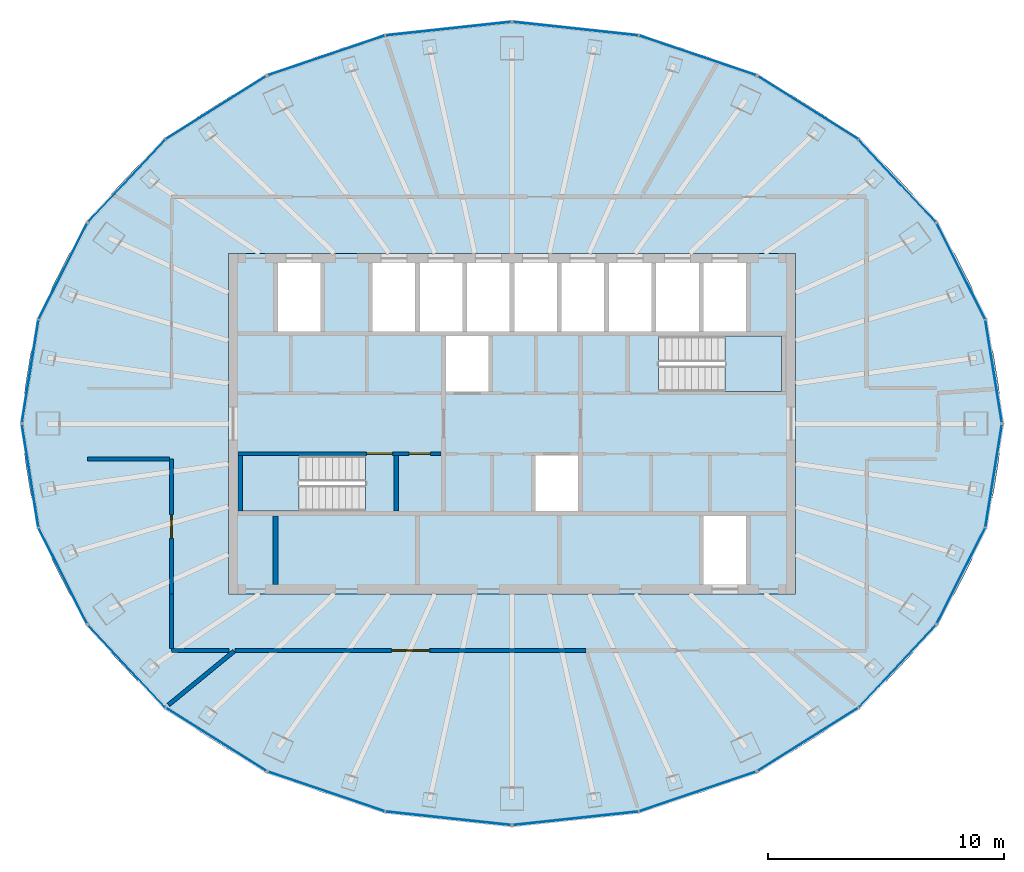
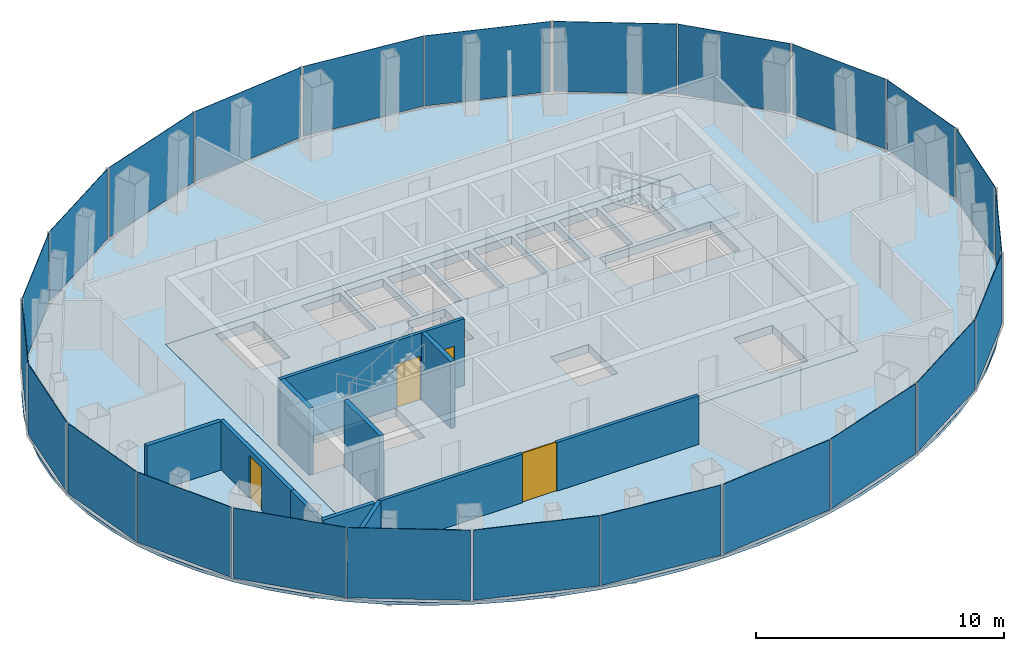
# One storey, part 7 of 11: 24 plates, 10 walls, 4 doors, 4 slabs, 4 openings, 14 elements without a shape of their own.
"""IFC4 building model written with IfcOpenShell, lengths in metres."""

from ifc_helpers import new_model, si_unit, direction, frame, frame_2d, origin, origin_2d, place, context, subcontext, project, spatial, polyline, rectangle, outline, extrude, material, layer, layer_set, type_object, element, fill, aggregate, save


model = new_model("IFC4")

# Units and contexts
model_context = context("Model", 3, precision=1e-05, world=origin(), true_north=direction((0.0, 1.0)))
body_context = subcontext(model_context, "Body", "Model", "MODEL_VIEW")
ifc_project = project(units=[si_unit("LENGTHUNIT", "METRE"), si_unit("AREAUNIT", "SQUARE_METRE"), si_unit("VOLUMEUNIT", "CUBIC_METRE"), si_unit("PLANEANGLEUNIT", "RADIAN"), si_unit("MASSUNIT", "GRAM", prefix="KILO")], contexts=[model_context])

# Site, building, storey
site_placement = place(None, origin())
site = spatial("IfcSite", under=ifc_project, at=site_placement, CompositionType="ELEMENT")
building_placement = place(site_placement, origin())
building = spatial("IfcBuilding", under=site, at=building_placement, Name="Siaravel Broadcast Tower", CompositionType="ELEMENT")
storey_placement = place(building_placement, frame((0.0, 0.0, 254.10009765625)))
storey = spatial("IfcBuildingStorey", under=building, at=storey_placement, Name="L62", CompositionType="ELEMENT", Elevation=254.10009765625)

# Curtain wall, plates
ifc_material_1 = material(Name="Aluminium 6063-T6", Category="aluminium")
ifc_layer_1 = layer(ifc_material_1, 0.159912109375)
ifc_layer_set_1 = layer_set([ifc_layer_1], Name="Aluminium 6063-T6")
curtain_wall_type = type_object("IfcCurtainWallType", Name="Unitised curtain wall, zone 4", PredefinedType="NOTDEFINED", material=ifc_layer_set_1)
curtain_wall_1_placement = place(storey_placement, origin())
curtain_wall_1 = element("IfcCurtainWall", 1, at=curtain_wall_1_placement, inside=storey, type_object=curtain_wall_type, Name="L62 Unitised curtain wall, zone 4 01", PredefinedType="NOTDEFINED")
ifc_material_2 = material(Name="Tinted insulated glass", Category="glass")
ifc_layer_2 = layer(ifc_material_2, 0.02587890625)
ifc_layer_set_2 = layer_set([ifc_layer_2], Name="Tinted insulated glass")
plate_type = type_object("IfcPlateType", Name="CW-Z4 glass panel", PredefinedType="CURTAIN_PANEL", material=ifc_layer_set_2)
plate_1_placement = place(storey_placement, frame((20.377685546875, 2.2138671875, 0.08984375), z_axis=(0.0, 0.0, 1.0), x_axis=(-0.158684626, 0.987329322, 0.0)))
plate_1 = element("IfcPlate", 2, at=plate_1_placement, type_object=plate_type, Name="CW-Z4 glass panel", PredefinedType="CURTAIN_PANEL", context=body_context, shape_type="SweptSolid", body=[
    extrude(rectangle(XDim=4.37451171875, YDim=0.02587890625, at=origin_2d()), origin(), (0.0, 0.0, 1.0), 3.4599609375),
])
plate_2_placement = place(storey_placement, frame((18.99609375, 6.43798828125, 0.08984375), z_axis=(0.0, 0.0, 1.0), x_axis=(-0.45125904, 0.892393007, 0.0)))
plate_2 = element("IfcPlate", 3, at=plate_2_placement, type_object=plate_type, Name="CW-Z4 glass panel", PredefinedType="CURTAIN_PANEL", context=body_context, shape_type="SweptSolid", body=[
    extrude(rectangle(XDim=4.51123046875, YDim=0.02587890625, at=origin_2d()), origin(), (0.0, 0.0, 1.0), 3.4599609375),
])
aggregate(curtain_wall_1, [plate_1, plate_2])

curtain_wall_2_placement = place(storey_placement, origin())
curtain_wall_2 = element("IfcCurtainWall", 4, at=curtain_wall_2_placement, inside=storey, type_object=curtain_wall_type, Name="L62 Unitised curtain wall, zone 4 02", PredefinedType="NOTDEFINED")
plate_3_placement = place(storey_placement, frame((16.2958984375, 10.269287109375, 0.08984375), z_axis=(0.0, 0.0, 1.0), x_axis=(-0.683653541, 0.729806711, 0.0)))
plate_3 = element("IfcPlate", 5, at=plate_3_placement, type_object=plate_type, Name="CW-Z4 glass panel", PredefinedType="CURTAIN_PANEL", context=body_context, shape_type="SweptSolid", body=[
    extrude(rectangle(XDim=4.739013671875, YDim=0.02587890625, at=origin_2d()), origin(), (0.0, 0.0, 1.0), 3.4599609375),
])
plate_4_placement = place(storey_placement, frame((12.521728515625, 13.36083984375, 0.08984375), z_axis=(0.0, 0.0, 1.0), x_axis=(-0.84664969, 0.532150638, 0.0)))
plate_4 = element("IfcPlate", 6, at=plate_4_placement, type_object=plate_type, Name="CW-Z4 glass panel", PredefinedType="CURTAIN_PANEL", context=body_context, shape_type="SweptSolid", body=[
    extrude(rectangle(XDim=4.9892578125, YDim=0.02587890625, at=origin_2d()), origin(), (0.0, 0.0, 1.0), 3.4599609375),
])
aggregate(curtain_wall_2, [plate_3, plate_4])

curtain_wall_3_placement = place(storey_placement, origin())
curtain_wall_3 = element("IfcCurtainWall", 7, at=curtain_wall_3_placement, inside=storey, type_object=curtain_wall_type, Name="L62 Unitised curtain wall, zone 4 03", PredefinedType="NOTDEFINED")
plate_5_placement = place(storey_placement, frame((7.8505859375, 15.570068359375, 0.08984375), z_axis=(0.0, 0.0, 1.0), x_axis=(-0.946976923, 0.321301584, 0.0)))
plate_5 = element("IfcPlate", 8, at=plate_5_placement, type_object=plate_type, Name="CW-Z4 glass panel", PredefinedType="CURTAIN_PANEL", context=body_context, shape_type="SweptSolid", body=[
    extrude(rectangle(XDim=5.196533203125, YDim=0.02587890625, at=origin_2d()), origin(), (0.0, 0.0, 1.0), 3.4599609375),
])
plate_6_placement = place(storey_placement, frame((2.69580078125, 16.701416015625, 0.08984375), z_axis=(0.0, 0.0, 1.0), x_axis=(-0.994235555, 0.107217823, 0.0)))
plate_6 = element("IfcPlate", 9, at=plate_6_placement, type_object=plate_type, Name="CW-Z4 glass panel", PredefinedType="CURTAIN_PANEL", context=body_context, shape_type="SweptSolid", body=[
    extrude(rectangle(XDim=5.3125, YDim=0.02587890625, at=origin_2d()), origin(), (0.0, 0.0, 1.0), 3.4599609375),
])
aggregate(curtain_wall_3, [plate_5, plate_6])

curtain_wall_4_placement = place(storey_placement, origin())
curtain_wall_4 = element("IfcCurtainWall", 10, at=curtain_wall_4_placement, inside=storey, type_object=curtain_wall_type, Name="L62 Unitised curtain wall, zone 4 04", PredefinedType="NOTDEFINED")
plate_7_placement = place(storey_placement, frame((-2.69580078125, 16.701416015625, 0.08984375), z_axis=(0.0, 0.0, 1.0), x_axis=(-0.994235555, -0.107217823, 0.0)))
plate_7 = element("IfcPlate", 11, at=plate_7_placement, type_object=plate_type, Name="CW-Z4 glass panel", PredefinedType="CURTAIN_PANEL", context=body_context, shape_type="SweptSolid", body=[
    extrude(rectangle(XDim=5.3125, YDim=0.02587890625, at=origin_2d()), origin(), (0.0, 0.0, 1.0), 3.4599609375),
])
plate_8_placement = place(storey_placement, frame((-7.8505859375, 15.570068359375, 0.08984375), z_axis=(0.0, 0.0, 1.0), x_axis=(-0.946976923, -0.321301584, 0.0)))
plate_8 = element("IfcPlate", 12, at=plate_8_placement, type_object=plate_type, Name="CW-Z4 glass panel", PredefinedType="CURTAIN_PANEL", context=body_context, shape_type="SweptSolid", body=[
    extrude(rectangle(XDim=5.196533203125, YDim=0.02587890625, at=origin_2d()), origin(), (0.0, 0.0, 1.0), 3.4599609375),
])
aggregate(curtain_wall_4, [plate_7, plate_8])

curtain_wall_5_placement = place(storey_placement, origin())
curtain_wall_5 = element("IfcCurtainWall", 13, at=curtain_wall_5_placement, inside=storey, type_object=curtain_wall_type, Name="L62 Unitised curtain wall, zone 4 05", PredefinedType="NOTDEFINED")
plate_9_placement = place(storey_placement, frame((-12.521728515625, 13.36083984375, 0.08984375), z_axis=(0.0, 0.0, 1.0), x_axis=(-0.84664969, -0.532150638, 0.0)))
plate_9 = element("IfcPlate", 14, at=plate_9_placement, type_object=plate_type, Name="CW-Z4 glass panel", PredefinedType="CURTAIN_PANEL", context=body_context, shape_type="SweptSolid", body=[
    extrude(rectangle(XDim=4.9892578125, YDim=0.02587890625, at=origin_2d()), origin(), (0.0, 0.0, 1.0), 3.4599609375),
])
plate_10_placement = place(storey_placement, frame((-16.2958984375, 10.269287109375, 0.08984375), z_axis=(0.0, 0.0, 1.0), x_axis=(-0.683653541, -0.729806711, 0.0)))
plate_10 = element("IfcPlate", 15, at=plate_10_placement, type_object=plate_type, Name="CW-Z4 glass panel", PredefinedType="CURTAIN_PANEL", context=body_context, shape_type="SweptSolid", body=[
    extrude(rectangle(XDim=4.739013671875, YDim=0.02587890625, at=origin_2d()), origin(), (0.0, 0.0, 1.0), 3.4599609375),
])
aggregate(curtain_wall_5, [plate_9, plate_10])

curtain_wall_6_placement = place(storey_placement, origin())
curtain_wall_6 = element("IfcCurtainWall", 16, at=curtain_wall_6_placement, inside=storey, type_object=curtain_wall_type, Name="L62 Unitised curtain wall, zone 4 06", PredefinedType="NOTDEFINED")
plate_11_placement = place(storey_placement, frame((-18.99609375, 6.43798828125, 0.08984375), z_axis=(0.0, 0.0, 1.0), x_axis=(-0.45125904, -0.892393007, 0.0)))
plate_11 = element("IfcPlate", 17, at=plate_11_placement, type_object=plate_type, Name="CW-Z4 glass panel", PredefinedType="CURTAIN_PANEL", context=body_context, shape_type="SweptSolid", body=[
    extrude(rectangle(XDim=4.51123046875, YDim=0.02587890625, at=origin_2d()), origin(), (0.0, 0.0, 1.0), 3.4599609375),
])
plate_12_placement = place(storey_placement, frame((-20.377685546875, 2.2138671875, 0.08984375), z_axis=(0.0, 0.0, 1.0), x_axis=(-0.158684626, -0.987329322, 0.0)))
plate_12 = element("IfcPlate", 18, at=plate_12_placement, type_object=plate_type, Name="CW-Z4 glass panel", PredefinedType="CURTAIN_PANEL", context=body_context, shape_type="SweptSolid", body=[
    extrude(rectangle(XDim=4.37451171875, YDim=0.02587890625, at=origin_2d()), origin(), (0.0, 0.0, 1.0), 3.4599609375),
])
aggregate(curtain_wall_6, [plate_11, plate_12])

curtain_wall_7_placement = place(storey_placement, origin())
curtain_wall_7 = element("IfcCurtainWall", 19, at=curtain_wall_7_placement, inside=storey, type_object=curtain_wall_type, Name="L62 Unitised curtain wall, zone 4 07", PredefinedType="NOTDEFINED")
plate_13_placement = place(storey_placement, frame((-20.377685546875, -2.2138671875, 0.08984375), z_axis=(0.0, 0.0, 1.0), x_axis=(0.158684626, -0.987329322, 0.0)))
plate_13 = element("IfcPlate", 20, at=plate_13_placement, type_object=plate_type, Name="CW-Z4 glass panel", PredefinedType="CURTAIN_PANEL", context=body_context, shape_type="SweptSolid", body=[
    extrude(rectangle(XDim=4.37451171875, YDim=0.02587890625, at=origin_2d()), origin(), (0.0, 0.0, 1.0), 3.4599609375),
])
plate_14_placement = place(storey_placement, frame((-18.99609375, -6.43798828125, 0.08984375), z_axis=(0.0, 0.0, 1.0), x_axis=(0.45125904, -0.892393007, 0.0)))
plate_14 = element("IfcPlate", 21, at=plate_14_placement, type_object=plate_type, Name="CW-Z4 glass panel", PredefinedType="CURTAIN_PANEL", context=body_context, shape_type="SweptSolid", body=[
    extrude(rectangle(XDim=4.51123046875, YDim=0.02587890625, at=origin_2d()), origin(), (0.0, 0.0, 1.0), 3.4599609375),
])
aggregate(curtain_wall_7, [plate_13, plate_14])

curtain_wall_8_placement = place(storey_placement, origin())
curtain_wall_8 = element("IfcCurtainWall", 22, at=curtain_wall_8_placement, inside=storey, type_object=curtain_wall_type, Name="L62 Unitised curtain wall, zone 4 08", PredefinedType="NOTDEFINED")
plate_15_placement = place(storey_placement, frame((-16.2958984375, -10.269287109375, 0.08984375), z_axis=(0.0, 0.0, 1.0), x_axis=(0.683653541, -0.729806711, 0.0)))
plate_15 = element("IfcPlate", 23, at=plate_15_placement, type_object=plate_type, Name="CW-Z4 glass panel", PredefinedType="CURTAIN_PANEL", context=body_context, shape_type="SweptSolid", body=[
    extrude(rectangle(XDim=4.739013671875, YDim=0.02587890625, at=origin_2d()), origin(), (0.0, 0.0, 1.0), 3.4599609375),
])
plate_16_placement = place(storey_placement, frame((-12.521728515625, -13.36083984375, 0.08984375), z_axis=(0.0, 0.0, 1.0), x_axis=(0.84664969, -0.532150638, 0.0)))
plate_16 = element("IfcPlate", 24, at=plate_16_placement, type_object=plate_type, Name="CW-Z4 glass panel", PredefinedType="CURTAIN_PANEL", context=body_context, shape_type="SweptSolid", body=[
    extrude(rectangle(XDim=4.9892578125, YDim=0.02587890625, at=origin_2d()), origin(), (0.0, 0.0, 1.0), 3.4599609375),
])
aggregate(curtain_wall_8, [plate_15, plate_16])

curtain_wall_9_placement = place(storey_placement, origin())
curtain_wall_9 = element("IfcCurtainWall", 25, at=curtain_wall_9_placement, inside=storey, type_object=curtain_wall_type, Name="L62 Unitised curtain wall, zone 4 09", PredefinedType="NOTDEFINED")
plate_17_placement = place(storey_placement, frame((-7.8505859375, -15.570068359375, 0.08984375), z_axis=(0.0, 0.0, 1.0), x_axis=(0.946976923, -0.321301584, 0.0)))
plate_17 = element("IfcPlate", 26, at=plate_17_placement, type_object=plate_type, Name="CW-Z4 glass panel", PredefinedType="CURTAIN_PANEL", context=body_context, shape_type="SweptSolid", body=[
    extrude(rectangle(XDim=5.196533203125, YDim=0.02587890625, at=origin_2d()), origin(), (0.0, 0.0, 1.0), 3.4599609375),
])
plate_18_placement = place(storey_placement, frame((-2.69580078125, -16.701416015625, 0.08984375), z_axis=(0.0, 0.0, 1.0), x_axis=(0.994235555, -0.107217823, 0.0)))
plate_18 = element("IfcPlate", 27, at=plate_18_placement, type_object=plate_type, Name="CW-Z4 glass panel", PredefinedType="CURTAIN_PANEL", context=body_context, shape_type="SweptSolid", body=[
    extrude(rectangle(XDim=5.3125, YDim=0.02587890625, at=origin_2d()), origin(), (0.0, 0.0, 1.0), 3.4599609375),
])
aggregate(curtain_wall_9, [plate_17, plate_18])

curtain_wall_10_placement = place(storey_placement, origin())
curtain_wall_10 = element("IfcCurtainWall", 28, at=curtain_wall_10_placement, inside=storey, type_object=curtain_wall_type, Name="L62 Unitised curtain wall, zone 4 10", PredefinedType="NOTDEFINED")
plate_19_placement = place(storey_placement, frame((2.69580078125, -16.701416015625, 0.08984375), z_axis=(0.0, 0.0, 1.0), x_axis=(0.994235555, 0.107217823, 0.0)))
plate_19 = element("IfcPlate", 29, at=plate_19_placement, type_object=plate_type, Name="CW-Z4 glass panel", PredefinedType="CURTAIN_PANEL", context=body_context, shape_type="SweptSolid", body=[
    extrude(rectangle(XDim=5.3125, YDim=0.02587890625, at=origin_2d()), origin(), (0.0, 0.0, 1.0), 3.4599609375),
])
plate_20_placement = place(storey_placement, frame((7.8505859375, -15.570068359375, 0.08984375), z_axis=(0.0, 0.0, 1.0), x_axis=(0.946976923, 0.321301584, 0.0)))
plate_20 = element("IfcPlate", 30, at=plate_20_placement, type_object=plate_type, Name="CW-Z4 glass panel", PredefinedType="CURTAIN_PANEL", context=body_context, shape_type="SweptSolid", body=[
    extrude(rectangle(XDim=5.196533203125, YDim=0.02587890625, at=origin_2d()), origin(), (0.0, 0.0, 1.0), 3.4599609375),
])
aggregate(curtain_wall_10, [plate_19, plate_20])

curtain_wall_11_placement = place(storey_placement, origin())
curtain_wall_11 = element("IfcCurtainWall", 31, at=curtain_wall_11_placement, inside=storey, type_object=curtain_wall_type, Name="L62 Unitised curtain wall, zone 4 11", PredefinedType="NOTDEFINED")
plate_21_placement = place(storey_placement, frame((12.521728515625, -13.36083984375, 0.08984375), z_axis=(0.0, 0.0, 1.0), x_axis=(0.84664969, 0.532150638, 0.0)))
plate_21 = element("IfcPlate", 32, at=plate_21_placement, type_object=plate_type, Name="CW-Z4 glass panel", PredefinedType="CURTAIN_PANEL", context=body_context, shape_type="SweptSolid", body=[
    extrude(rectangle(XDim=4.9892578125, YDim=0.02587890625, at=origin_2d()), origin(), (0.0, 0.0, 1.0), 3.4599609375),
])
plate_22_placement = place(storey_placement, frame((16.2958984375, -10.269287109375, 0.08984375), z_axis=(0.0, 0.0, 1.0), x_axis=(0.683653541, 0.729806711, 0.0)))
plate_22 = element("IfcPlate", 33, at=plate_22_placement, type_object=plate_type, Name="CW-Z4 glass panel", PredefinedType="CURTAIN_PANEL", context=body_context, shape_type="SweptSolid", body=[
    extrude(rectangle(XDim=4.739013671875, YDim=0.02587890625, at=origin_2d()), origin(), (0.0, 0.0, 1.0), 3.4599609375),
])
aggregate(curtain_wall_11, [plate_21, plate_22])

curtain_wall_12_placement = place(storey_placement, origin())
curtain_wall_12 = element("IfcCurtainWall", 34, at=curtain_wall_12_placement, inside=storey, type_object=curtain_wall_type, Name="L62 Unitised curtain wall, zone 4 12", PredefinedType="NOTDEFINED")
plate_23_placement = place(storey_placement, frame((18.99609375, -6.43798828125, 0.08984375), z_axis=(0.0, 0.0, 1.0), x_axis=(0.45125904, 0.892393007, 0.0)))
plate_23 = element("IfcPlate", 35, at=plate_23_placement, type_object=plate_type, Name="CW-Z4 glass panel", PredefinedType="CURTAIN_PANEL", context=body_context, shape_type="SweptSolid", body=[
    extrude(rectangle(XDim=4.51123046875, YDim=0.02587890625, at=origin_2d()), origin(), (0.0, 0.0, 1.0), 3.4599609375),
])
plate_24_placement = place(storey_placement, frame((20.377685546875, -2.2138671875, 0.08984375), z_axis=(0.0, 0.0, 1.0), x_axis=(0.158684626, 0.987329322, 0.0)))
plate_24 = element("IfcPlate", 36, at=plate_24_placement, type_object=plate_type, Name="CW-Z4 glass panel", PredefinedType="CURTAIN_PANEL", context=body_context, shape_type="SweptSolid", body=[
    extrude(rectangle(XDim=4.37451171875, YDim=0.02587890625, at=origin_2d()), origin(), (0.0, 0.0, 1.0), 3.4599609375),
])
aggregate(curtain_wall_12, [plate_23, plate_24])

# Slabs
ifc_material_3 = material(Name="Concrete C40/50", Category="concrete")
ifc_layer_3 = layer(ifc_material_3, 0.39990234375)
ifc_layer_set_3 = layer_set([ifc_layer_3], Name="Concrete C40/50")
slab_type_1 = type_object("IfcSlabType", Name="Core floor slab 400", PredefinedType="FLOOR", material=ifc_layer_set_3)
slab_1_placement = place(storey_placement, frame((0.0, 0.0, -0.400146484375)))
element("IfcSlab", 37, at=slab_1_placement, inside=storey, type_object=slab_type_1, Name="L62 core floor", PredefinedType="FLOOR", context=body_context, shape_type="SweptSolid", body=[
    extrude(outline(polyline([(-12.0, -7.199951171875), (-12.0, 7.199951171875), (12.0, 7.199951171875), (12.0, -7.199951171875), (-12.0, -7.199951171875)]), holes=[polyline([(11.3994140625, 1.3505859375), (11.3994140625, 3.699462890625), (6.200439453125, 3.699462890625), (6.200439453125, 1.3505859375), (11.3994140625, 1.3505859375)]), polyline([(8.10009765625, -3.89990234375), (8.10009765625, -6.800048828125), (9.89990234375, -6.800048828125), (9.89990234375, -3.89990234375), (8.10009765625, -3.89990234375)]), polyline([(9.89990234375, 6.800048828125), (8.10009765625, 6.800048828125), (8.10009765625, 3.89990234375), (9.89990234375, 3.89990234375), (9.89990234375, 6.800048828125)]), polyline([(7.89990234375, 6.800048828125), (6.10009765625, 6.800048828125), (6.10009765625, 3.89990234375), (7.89990234375, 3.89990234375), (7.89990234375, 6.800048828125)]), polyline([(5.89990234375, 6.800048828125), (4.10009765625, 6.800048828125), (4.10009765625, 3.89990234375), (5.89990234375, 3.89990234375), (5.89990234375, 6.800048828125)]), polyline([(3.89990234375, 6.800048828125), (2.10009765625, 6.800048828125), (2.10009765625, 3.89990234375), (3.89990234375, 3.89990234375), (3.89990234375, 6.800048828125)]), polyline([(2.800048828125, -1.35009765625), (1.0, -1.35009765625), (1.0, -3.699951171875), (2.800048828125, -3.699951171875), (2.800048828125, -1.35009765625)]), polyline([(1.89990234375, 6.800048828125), (0.10009765625, 6.800048828125), (0.10009765625, 3.89990234375), (1.89990234375, 3.89990234375), (1.89990234375, 6.800048828125)]), polyline([(-0.10009765625, 6.800048828125), (-1.89990234375, 6.800048828125), (-1.89990234375, 3.89990234375), (-0.10009765625, 3.89990234375), (-0.10009765625, 6.800048828125)]), polyline([(-1.0, 3.699951171875), (-2.800048828125, 3.699951171875), (-2.800048828125, 1.35009765625), (-1.0, 1.35009765625), (-1.0, 3.699951171875)]), polyline([(-2.10009765625, 6.800048828125), (-3.89990234375, 6.800048828125), (-3.89990234375, 3.89990234375), (-2.10009765625, 3.89990234375), (-2.10009765625, 6.800048828125)]), polyline([(-4.10009765625, 6.800048828125), (-5.89990234375, 6.800048828125), (-5.89990234375, 3.89990234375), (-4.10009765625, 3.89990234375), (-4.10009765625, 6.800048828125)]), polyline([(-11.3994140625, -3.699462890625), (-6.200439453125, -3.699462890625), (-6.200439453125, -1.3505859375), (-11.3994140625, -1.3505859375), (-11.3994140625, -3.699462890625)]), polyline([(-8.10009765625, 6.800048828125), (-9.89990234375, 6.800048828125), (-9.89990234375, 3.89990234375), (-8.10009765625, 3.89990234375), (-8.10009765625, 6.800048828125)])]), origin(), (0.0, 0.0, 1.0), 0.400146484375),
])
ifc_layer_4 = layer(ifc_material_3, 0.14990234375)
ifc_layer_set_4 = layer_set([ifc_layer_4], Name="Concrete C40/50")
slab_type_2 = type_object("IfcSlabType", Name="SLB-FLOOR-150", PredefinedType="FLOOR", material=ifc_layer_set_4)
slab_2_placement = place(storey_placement, frame((0.0, 0.0, -0.150146484375)))
element("IfcSlab", 38, at=slab_2_placement, inside=storey, type_object=slab_type_2, Name="Floor slab", PredefinedType="FLOOR", context=body_context, shape_type="SweptSolid", body=[
    extrude(outline(polyline([(20.68359375, 0.0), (20.60498046875, 1.4765625), (20.369384765625, 2.94189453125), (19.978759765625, 4.385009765625), (19.436279296875, 5.794677734375), (18.74560546875, 7.16015625), (17.91259765625, 8.47119140625), (16.943115234375, 9.717529296875), (15.844482421875, 10.89013671875), (14.62548828125, 11.97998046875), (13.295166015625, 12.978515625), (11.863525390625, 13.878173828125), (10.341796875, 14.67236328125), (8.7412109375, 15.354736328125), (7.07421875, 15.92041015625), (5.353271484375, 16.364990234375), (3.591796875, 16.684814453125), (1.802734375, 16.877685546875), (0.0, 16.942138671875), (-1.802734375, 16.877685546875), (-3.591796875, 16.684814453125), (-5.353271484375, 16.364990234375), (-7.07421875, 15.92041015625), (-8.7412109375, 15.354736328125), (-10.341796875, 14.67236328125), (-11.863525390625, 13.878173828125), (-13.295166015625, 12.978515625), (-14.62548828125, 11.97998046875), (-15.844482421875, 10.89013671875), (-16.943115234375, 9.717529296875), (-17.91259765625, 8.47119140625), (-18.74560546875, 7.16015625), (-19.436279296875, 5.794677734375), (-19.978759765625, 4.385009765625), (-20.369384765625, 2.94189453125), (-20.60498046875, 1.4765625), (-20.68359375, 0.0), (-20.60498046875, -1.4765625), (-20.369384765625, -2.94189453125), (-19.978759765625, -4.385009765625), (-19.436279296875, -5.794677734375), (-18.74560546875, -7.16015625), (-17.91259765625, -8.47119140625), (-16.943115234375, -9.717529296875), (-15.844482421875, -10.89013671875), (-14.62548828125, -11.97998046875), (-13.295166015625, -12.978515625), (-11.863525390625, -13.878173828125), (-10.341796875, -14.67236328125), (-8.7412109375, -15.354736328125), (-7.07421875, -15.92041015625), (-5.353271484375, -16.364990234375), (-3.591796875, -16.684814453125), (-1.802734375, -16.877685546875), (0.0, -16.942138671875), (1.802734375, -16.877685546875), (3.591796875, -16.684814453125), (5.353271484375, -16.364990234375), (7.07421875, -15.92041015625), (8.7412109375, -15.354736328125), (10.341796875, -14.67236328125), (11.863525390625, -13.878173828125), (13.295166015625, -12.978515625), (14.62548828125, -11.97998046875), (15.844482421875, -10.89013671875), (16.943115234375, -9.717529296875), (17.91259765625, -8.47119140625), (18.74560546875, -7.16015625), (19.436279296875, -5.794677734375), (19.978759765625, -4.385009765625), (20.369384765625, -2.94189453125), (20.60498046875, -1.4765625), (20.68359375, 0.0)]), holes=[polyline([(-12.0, 7.199951171875), (12.0, 7.199951171875), (12.0, -7.199951171875), (-12.0, -7.199951171875), (-12.0, 7.199951171875)])]), origin(), (0.0, 0.0, 1.0), 0.150146484375),
])

# Stair, slab
stair_type = type_object("IfcStairType", Name="Core exit stair", PredefinedType="HALF_TURN_STAIR", material=ifc_material_3)
stair_1_placement = place(storey_placement, origin())
stair_1 = element("IfcStair", 39, at=stair_1_placement, inside=storey, type_object=stair_type, Name="L62 Exit stair ST-1", PredefinedType="HALF_TURN_STAIR")
ifc_layer_5 = layer(ifc_material_3, 0.199951171875)
ifc_layer_set_5 = layer_set([ifc_layer_5], Name="Concrete C40/50")
slab_type_3 = type_object("IfcSlabType", Name="Stair landing", PredefinedType="LANDING", material=ifc_layer_set_5)
slab_3_placement = place(storey_placement, frame((0.0, 0.0, 1.64990234375)))
slab_3 = element("IfcSlab", 40, at=slab_3_placement, type_object=slab_type_3, Name="ST-1 landing 1", PredefinedType="LANDING", context=body_context, shape_type="SweptSolid", body=[
    extrude(outline(polyline([(-9.0, -1.35009765625), (-11.39990234375, -1.35009765625), (-11.39990234375, -3.699951171875), (-9.0, -3.699951171875), (-9.0, -1.35009765625)])), origin(), (0.0, 0.0, 1.0), 0.199951171875),
])
aggregate(stair_1, [slab_3])

stair_2_placement = place(storey_placement, origin())
stair_2 = element("IfcStair", 41, at=stair_2_placement, inside=storey, type_object=stair_type, Name="L62 Exit stair ST-2", PredefinedType="HALF_TURN_STAIR")
slab_4_placement = place(storey_placement, frame((0.0, 0.0, 1.64990234375)))
slab_4 = element("IfcSlab", 42, at=slab_4_placement, type_object=slab_type_3, Name="ST-2 landing 1", PredefinedType="LANDING", context=body_context, shape_type="SweptSolid", body=[
    extrude(outline(polyline([(9.0, 1.35009765625), (11.39990234375, 1.35009765625), (11.39990234375, 3.699951171875), (9.0, 3.699951171875), (9.0, 1.35009765625)])), origin(), (0.0, 0.0, 1.0), 0.199951171875),
])
aggregate(stair_2, [slab_4])

# Wall, opening, door
ifc_material_4 = material(Name="Gypsum board partition", Category="gypsum")
ifc_layer_6 = layer(ifc_material_4, 0.14990234375)
ifc_layer_set_6 = layer_set([ifc_layer_6], Name="Gypsum board partition")
wall_type_1 = type_object("IfcWallType", Name="Corridor wall 150", PredefinedType="PARTITIONING", material=ifc_layer_set_6)
wall_1_placement = place(storey_placement, frame((-11.719970703125, -9.60009765625, 0.0), z_axis=(0.0, 0.0, 1.0), x_axis=(1.0, 0.0, 0.0)))
wall_1 = element("IfcWall", 43, at=wall_1_placement, inside=storey, type_object=wall_type_1, Name="L62 partition 1", PredefinedType="PARTITIONING", context=body_context, shape_type="SweptSolid", body=[
    extrude(rectangle(XDim=14.8603515625, YDim=0.14990234375, at=frame_2d((7.43017578125, 0.0))), origin(), (0.0, 0.0, 1.0), 2.39990234375),
])
opening_1_placement = place(wall_1_placement, frame((6.630126953125, 0.0, 0.0)))
opening_1 = element("IfcOpeningElement", 44, at=opening_1_placement, cuts=wall_1, Name="Opening L62-002", PredefinedType="OPENING", context=body_context, shape_type="SweptSolid", body=[
    extrude(rectangle(XDim=1.60009765625, YDim=2.39990234375, at=frame_2d((0.800048828125, 1.199951171875))), frame((0.0, 0.0849609375, 0.0), z_axis=(0.0, -1.0, 0.0), x_axis=(1.0, 0.0, 0.0)), (0.0, 0.0, 1.0), 0.169921875),
])
ifc_material_5 = material(Name="Timber veneer", Category="wood")
door_type_1 = type_object("IfcDoorType", Name="Restaurant double door 1600", OperationType="DOUBLE_DOOR_SINGLE_SWING", PredefinedType="DOOR", material=ifc_material_5)
door_1_placement = place(opening_1_placement, origin())
door_1 = element("IfcDoor", 45, at=door_1_placement, inside=storey, type_object=door_type_1, Name="L62 door to Restaurant", OperationType="DOUBLE_DOOR_SINGLE_SWING", OverallHeight=2.39990234375, OverallWidth=1.60009765625, PredefinedType="DOOR", context=body_context, shape_type="SweptSolid", body=[
    extrude(rectangle(XDim=1.60009765625, YDim=2.39990234375, at=frame_2d((0.800048828125, 1.199951171875))), frame((0.0, 0.02490234375, 0.0), z_axis=(0.0, -1.0, 0.0), x_axis=(1.0, 0.0, 0.0)), (0.0, 0.0, 1.0), 0.050048828125),
])
fill(opening_1, door_1)

ifc_material_6 = material(Name="Concrete blockwork", Category="masonry")
ifc_layer_7 = layer(ifc_material_6, 0.179931640625)
ifc_layer_set_7 = layer_set([ifc_layer_7], Name="Concrete blockwork")
wall_type_2 = type_object("IfcWallType", Name="Service room fire partition 180", PredefinedType="PARTITIONING", material=ifc_layer_set_7)
wall_2_placement = place(storey_placement, frame((-14.39990234375, -1.5, 0.0), z_axis=(0.0, 0.0, 1.0), x_axis=(0.0, -1.0, 0.0)))
wall_2 = element("IfcWall", 46, at=wall_2_placement, inside=storey, type_object=wall_type_2, Name="L62 partition 9", PredefinedType="PARTITIONING", context=body_context, shape_type="SweptSolid", body=[
    extrude(rectangle(XDim=5.7119140625, YDim=0.179931640625, at=frame_2d((2.85595703125, 0.0))), origin(), (0.0, 0.0, 1.0), 2.39990234375),
])
opening_2_placement = place(wall_2_placement, frame((2.35595703125, 0.0, 0.0)))
opening_2 = element("IfcOpeningElement", 47, at=opening_2_placement, cuts=wall_2, Name="Opening L62-001", PredefinedType="OPENING", context=body_context, shape_type="SweptSolid", body=[
    extrude(rectangle(XDim=1.0, YDim=2.10009765625, at=frame_2d((0.5, 1.050048828125))), frame((0.0, 0.099853515625, 0.0), z_axis=(0.0, -1.0, 0.0), x_axis=(1.0, 0.0, 0.0)), (0.0, 0.0, 1.0), 0.199951171875),
])
ifc_material_7 = material(Name="Steel", Category="steel")
door_type_2 = type_object("IfcDoorType", Name="Service room door 1000", OperationType="SINGLE_SWING_LEFT", PredefinedType="DOOR", material=ifc_material_7)
door_2_placement = place(opening_2_placement, origin())
door_2 = element("IfcDoor", 48, at=door_2_placement, inside=storey, type_object=door_type_2, Name="L62 door to Library", OperationType="SINGLE_SWING_LEFT", OverallHeight=2.10009765625, OverallWidth=1.0, PredefinedType="DOOR", context=body_context, shape_type="SweptSolid", body=[
    extrude(rectangle(XDim=1.0, YDim=2.10009765625, at=frame_2d((0.5, 1.050048828125))), frame((0.0, 0.02490234375, 0.0), z_axis=(0.0, -1.0, 0.0), x_axis=(1.0, 0.0, 0.0)), (0.0, 0.0, 1.0), 0.050048828125),
])
fill(opening_2, door_2)

# Walls
wall_3_placement = place(storey_placement, frame((-14.530029296875, -11.901611328125, 0.0), z_axis=(0.0, 0.0, 1.0), x_axis=(0.773617152, 0.633653298, 0.0)))
element("IfcWall", 49, at=wall_3_placement, inside=storey, type_object=wall_type_2, Name="L62 partition 13", PredefinedType="PARTITIONING", context=body_context, shape_type="SweptSolid", body=[
    extrude(rectangle(XDim=3.582763671875, YDim=0.179931640625, at=frame_2d((1.79150390625, 0.0))), origin(), (0.0, 0.0, 1.0), 2.39990234375),
])
wall_4_placement = place(storey_placement, frame((-17.94775390625, -1.5, 0.0), z_axis=(0.0, 0.0, 1.0), x_axis=(1.0, 0.0, 0.0)))
element("IfcWall", 50, at=wall_4_placement, inside=storey, type_object=wall_type_2, Name="L62 partition 15", PredefinedType="PARTITIONING", context=body_context, shape_type="SweptSolid", body=[
    extrude(rectangle(XDim=3.455810546875, YDim=0.179931640625, at=frame_2d((1.72802734375, 0.0))), origin(), (0.0, 0.0, 1.0), 2.39990234375),
])
wall_5_placement = place(storey_placement, frame((-14.39990234375, -9.60009765625, 0.0), z_axis=(0.0, 0.0, 1.0), x_axis=(1.0, 0.0, 0.0)))
element("IfcWall", 51, at=wall_5_placement, inside=storey, type_object=wall_type_2, Name="L62 partition 21", PredefinedType="PARTITIONING", context=body_context, shape_type="SweptSolid", body=[
    extrude(rectangle(XDim=2.426025390625, YDim=0.179931640625, at=frame_2d((1.212890625, 0.0))), origin(), (0.0, 0.0, 1.0), 2.39990234375),
])
wall_6_placement = place(storey_placement, frame((-14.39990234375, -7.212890625, 0.0), z_axis=(0.0, 0.0, 1.0), x_axis=(0.0, -1.0, 0.0)))
element("IfcWall", 52, at=wall_6_placement, inside=storey, type_object=wall_type_2, Name="L62 partition 24", PredefinedType="PARTITIONING", context=body_context, shape_type="SweptSolid", body=[
    extrude(rectangle(XDim=2.295166015625, YDim=0.179931640625, at=frame_2d((1.1474609375, 0.0))), origin(), (0.0, 0.0, 1.0), 2.39990234375),
])

# Wall, openings, doors
ifc_material_8 = material(Name="Concrete C60/75", Category="concrete")
ifc_layer_8 = layer(ifc_material_8, 0.14990234375)
ifc_layer_set_8 = layer_set([ifc_layer_8], Name="Concrete C60/75")
wall_type_3 = type_object("IfcWallType", Name="Shaft wall 150", PredefinedType="SHEAR", material=ifc_layer_set_8)
wall_7_placement = place(storey_placement, frame((-11.60009765625, -1.27490234375, 0.0), z_axis=(0.0, 0.0, 1.0), x_axis=(1.0, 0.0, 0.0)))
wall_7 = element("IfcWall", 53, at=wall_7_placement, inside=storey, type_object=wall_type_3, Name="L62 core wall CSW", PredefinedType="SHEAR", context=body_context, shape_type="SweptSolid", body=[
    extrude(rectangle(XDim=8.60009765625, YDim=0.14990234375, at=frame_2d((4.300048828125, 0.0))), origin(), (0.0, 0.0, 1.0), 3.2998046875),
])
opening_3_placement = place(wall_7_placement, frame((5.449951171875, 0.0, 0.0)))
opening_3 = element("IfcOpeningElement", 54, at=opening_3_placement, cuts=wall_7, Name="Opening L62-DS-1", PredefinedType="OPENING", context=body_context, shape_type="SweptSolid", body=[
    extrude(rectangle(XDim=1.10009765625, YDim=2.14990234375, at=frame_2d((0.550048828125, 1.074951171875))), frame((0.0, 0.0849609375, 0.0), z_axis=(0.0, -1.0, 0.0), x_axis=(1.0, 0.0, 0.0)), (0.0, 0.0, 1.0), 0.169921875),
])
opening_4_placement = place(wall_7_placement, frame((7.25, 0.0, 0.0)))
opening_4 = element("IfcOpeningElement", 55, at=opening_4_placement, cuts=wall_7, Name="Opening L62-DSW0", PredefinedType="OPENING", context=body_context, shape_type="SweptSolid", body=[
    extrude(rectangle(XDim=0.89990234375, YDim=2.10009765625, at=frame_2d((0.449951171875, 1.050048828125))), frame((0.0, 0.0849609375, 0.0), z_axis=(0.0, -1.0, 0.0), x_axis=(1.0, 0.0, 0.0)), (0.0, 0.0, 1.0), 0.169921875),
])
door_type_3 = type_object("IfcDoorType", Name="Core room door 900", OperationType="SINGLE_SWING_LEFT", PredefinedType="DOOR", material=ifc_material_5)
door_3_placement = place(opening_4_placement, origin())
door_3 = element("IfcDoor", 56, at=door_3_placement, inside=storey, type_object=door_type_3, Name="L62 door DSW0", OperationType="SINGLE_SWING_LEFT", OverallHeight=2.10009765625, OverallWidth=0.89990234375, PredefinedType="DOOR", context=body_context, shape_type="SweptSolid", body=[
    extrude(rectangle(XDim=0.89990234375, YDim=2.10009765625, at=frame_2d((0.449951171875, 1.050048828125))), frame((0.0, 0.02490234375, 0.0), z_axis=(0.0, -1.0, 0.0), x_axis=(1.0, 0.0, 0.0)), (0.0, 0.0, 1.0), 0.050048828125),
])
fill(opening_4, door_3)
door_type_4 = type_object("IfcDoorType", Name="Stair door 1100", OperationType="SINGLE_SWING_LEFT", PredefinedType="DOOR", material=ifc_material_7)
door_4_placement = place(opening_3_placement, origin())
door_4 = element("IfcDoor", 57, at=door_4_placement, inside=storey, type_object=door_type_4, Name="L62 door DS-1", OperationType="SINGLE_SWING_LEFT", OverallHeight=2.14990234375, OverallWidth=1.10009765625, PredefinedType="DOOR", context=body_context, shape_type="SweptSolid", body=[
    extrude(rectangle(XDim=1.10009765625, YDim=2.14990234375, at=frame_2d((0.550048828125, 1.074951171875))), frame((0.0, 0.02490234375, 0.0), z_axis=(0.0, -1.0, 0.0), x_axis=(1.0, 0.0, 0.0)), (0.0, 0.0, 1.0), 0.050048828125),
])
fill(opening_3, door_4)

# Walls
ifc_layer_9 = layer(ifc_material_8, 0.199951171875)
ifc_layer_set_9 = layer_set([ifc_layer_9], Name="Concrete C60/75")
wall_type_4 = type_object("IfcWallType", Name="Shaft wall 200", PredefinedType="SHEAR", material=ifc_layer_set_9)
wall_8_placement = place(storey_placement, frame((-10.0, -6.800048828125, 0.0), z_axis=(0.0, 0.0, 1.0), x_axis=(0.0, 1.0, 0.0)))
element("IfcWall", 58, at=wall_8_placement, inside=storey, type_object=wall_type_4, Name="L62 core wall SWS0", PredefinedType="SHEAR", context=body_context, shape_type="SweptSolid", body=[
    extrude(rectangle(XDim=2.900146484375, YDim=0.199951171875, at=frame_2d((1.4501953125, 0.0))), origin(), (0.0, 0.0, 1.0), 3.2998046875),
])
for number, where, z_axis, x_axis, name in (
    (59, (-11.5, -3.699951171875, 0.0), (0.0, 0.0, 1.0), (0.0, 1.0, 0.0), "L62 core wall ST1W"),
    (60, (-4.89990234375, -3.699951171875, 0.0), (0.0, 0.0, 1.0), (0.0, 1.0, 0.0), "L62 core wall ST1E"),
):
    element("IfcWall", number, at=place(storey_placement, frame(where, z_axis=z_axis, x_axis=x_axis)), inside=storey, type_object=wall_type_4, Name=name, PredefinedType="SHEAR", context=body_context, shape_type="SweptSolid", body=[
        extrude(rectangle(XDim=2.349853515625, YDim=0.199951171875, at=frame_2d((1.1748046875, 0.0))), origin(), (0.0, 0.0, 1.0), 3.2998046875),
    ])

save(model, "model.ifc")
